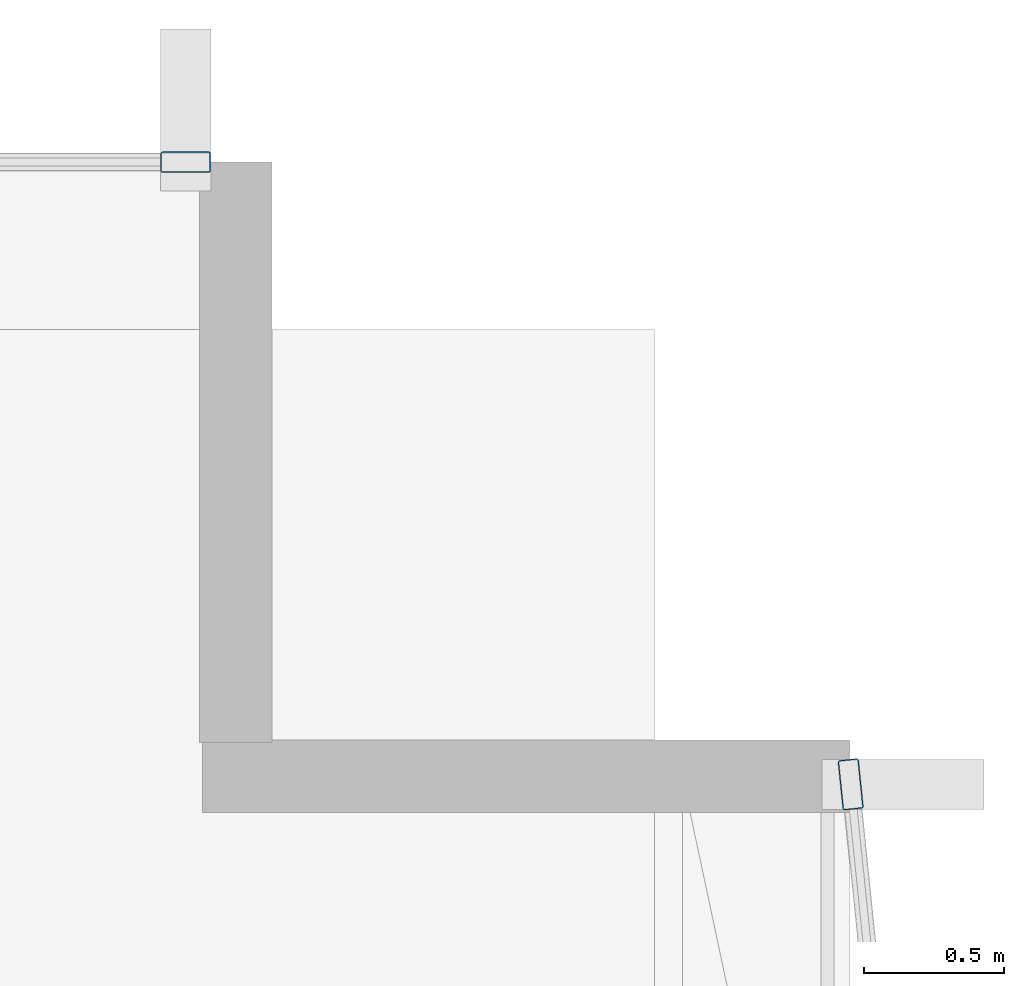
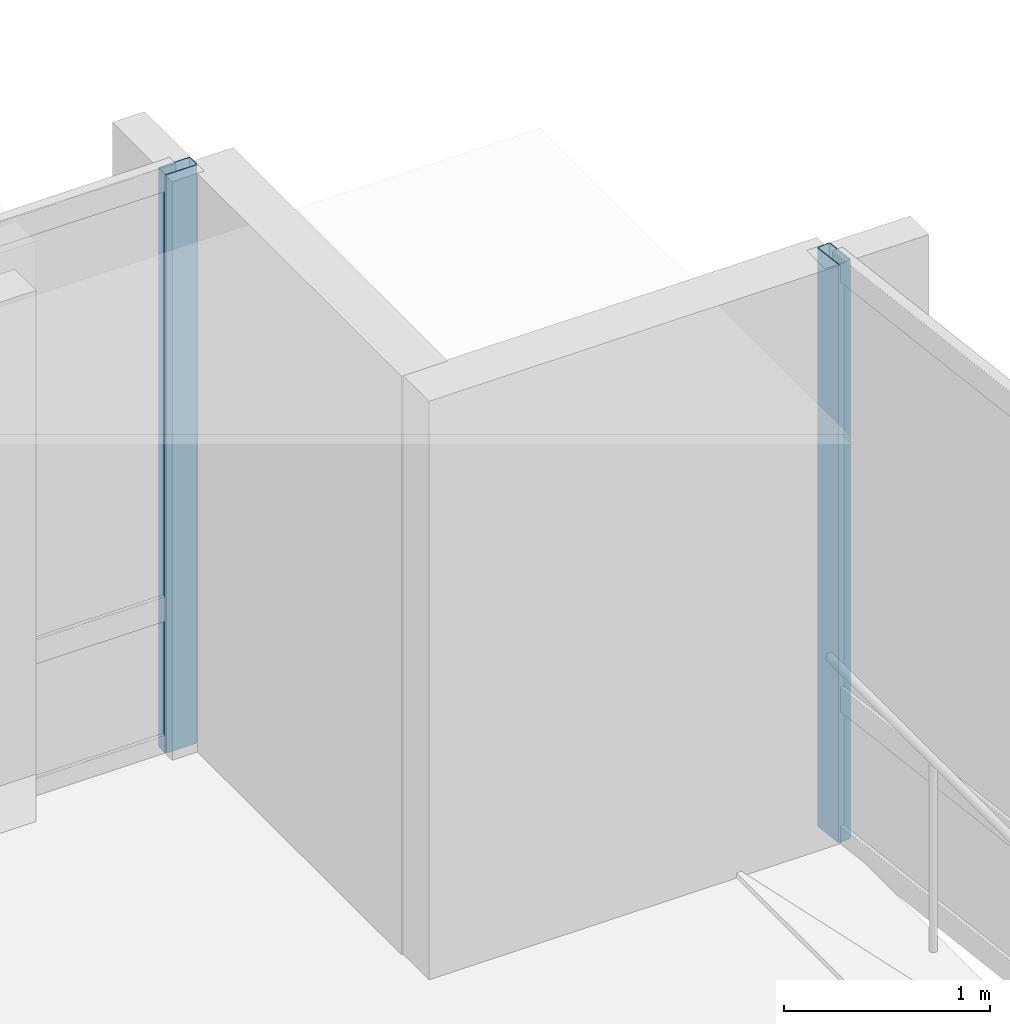
# One storey, part 17 of 34: 2 members, 2 elements without a shape of their own.
"""IFC4 building model written with IfcOpenShell, lengths in metres."""

from ifc_helpers import new_model, si_unit, direction, frame, origin, origin_2d, place, context, subcontext, project, spatial, hollow_rectangle, extrude, material, layer, layer_set, material_profile, profile_set, type_object, element, aggregate, save


model = new_model("IFC4")

# Units and contexts
model_context = context("Model", 3, precision=1e-05, world=origin(), true_north=direction((0.0, 1.0)))
body_context = subcontext(model_context, "Body", "Model", "MODEL_VIEW")
ifc_project = project(units=[si_unit("LENGTHUNIT", "METRE"), si_unit("AREAUNIT", "SQUARE_METRE"), si_unit("VOLUMEUNIT", "CUBIC_METRE"), si_unit("PLANEANGLEUNIT", "RADIAN"), si_unit("MASSUNIT", "GRAM", prefix="KILO")], contexts=[model_context])

# Site, building, storey
site_placement = place(None, origin())
site = spatial("IfcSite", under=ifc_project, at=site_placement, CompositionType="ELEMENT")
building_placement = place(site_placement, origin())
building = spatial("IfcBuilding", under=site, at=building_placement, Name="Solvaryn Broadcast Tower", CompositionType="ELEMENT")
storey_placement = place(building_placement, frame((0.0, 0.0, 69.300048828125)))
storey = spatial("IfcBuildingStorey", under=building, at=storey_placement, Name="L16", CompositionType="ELEMENT", Elevation=69.300048828125)

# Curtain wall, member
ifc_material_1 = material(Name="Aluminium and Terracotta Unitised Curtain Wall", Category="masonry")
ifc_layer = layer(ifc_material_1, 0.199951171875)
ifc_layer_set = layer_set([ifc_layer], Name="CW-SYS2-LOWMID")
curtain_wall_type = type_object("IfcCurtainWallType", Name="CW-SYS2-LOWMID", PredefinedType="NOTDEFINED", material=ifc_layer_set)
curtain_wall_1_placement = place(storey_placement, origin())
curtain_wall_1 = element("IfcCurtainWall", 1, at=curtain_wall_1_placement, inside=storey, type_object=curtain_wall_type, Name="L16 Curtain Wall ET1", PredefinedType="NOTDEFINED")
ifc_material_2 = material(Name="Anodised Aluminium 6063-T6", Category="aluminium")
ifc_material_profile = material_profile(ifc_material_2, hollow_rectangle(XDim=0.074951171875, YDim=0.179931640625, WallThickness=0.00390625, InnerFilletRadius=0.00390625, OuterFilletRadius=0.008056640625, at=origin_2d()))
ifc_profile_set = profile_set([ifc_material_profile], Name="Anodised Aluminium 6063-T6")
member_type = type_object("IfcMemberType", Name="CW-MUL-180", PredefinedType="MULLION", material=ifc_profile_set)
member_1_placement = place(storey_placement, frame((63.003173828125, 24.770263671875, 0.0), z_axis=(0.0, 0.0, 1.0), x_axis=(0.99474329889, 0.10240004548, 0.0)))
member_1 = element("IfcMember", 2, at=member_1_placement, type_object=member_type, Name="CWS2 mullion 1", PredefinedType="MULLION", context=body_context, shape_type="SweptSolid", body=[
    extrude(hollow_rectangle(XDim=0.074951171875, YDim=0.179931640625, WallThickness=0.00390625, InnerFilletRadius=0.00390625, OuterFilletRadius=0.008056640625, at=origin_2d()), origin(), (0.0, 0.0, 1.0), 3.419921875),
])
aggregate(curtain_wall_1, [member_1])

curtain_wall_2_placement = place(storey_placement, origin())
curtain_wall_2 = element("IfcCurtainWall", 3, at=curtain_wall_2_placement, inside=storey, type_object=curtain_wall_type, Name="L16 Curtain Wall IH", PredefinedType="NOTDEFINED")
member_2_placement = place(storey_placement, frame((60.6201171875, 27.0, 0.0), z_axis=(0.0, 0.0, 1.0), x_axis=(0.0, 1.0, 0.0)))
member_2 = element("IfcMember", 4, at=member_2_placement, type_object=member_type, Name="CWS2 mullion 2", PredefinedType="MULLION", context=body_context, shape_type="SweptSolid", body=[
    extrude(hollow_rectangle(XDim=0.074951171875, YDim=0.179931640625, WallThickness=0.00390625, InnerFilletRadius=0.00390625, OuterFilletRadius=0.008056640625, at=origin_2d()), origin(), (0.0, 0.0, 1.0), 3.419921875),
])
aggregate(curtain_wall_2, [member_2])

save(model, "model.ifc")
